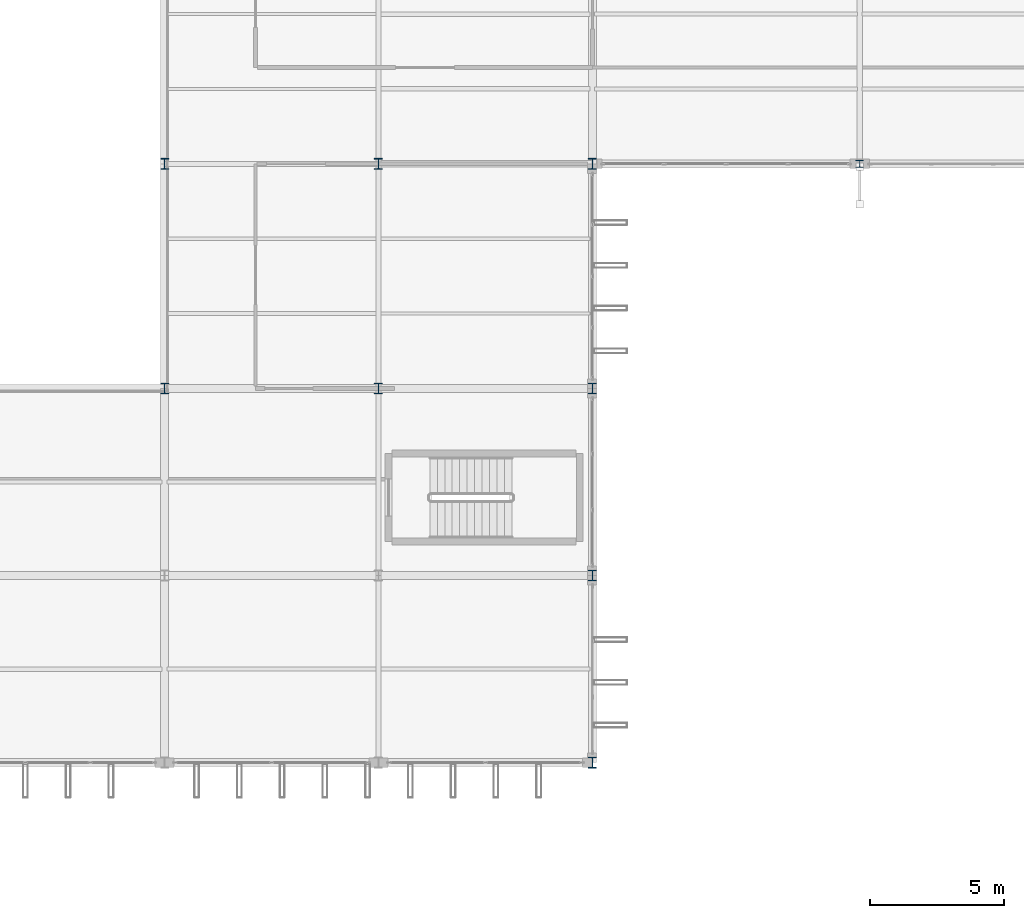
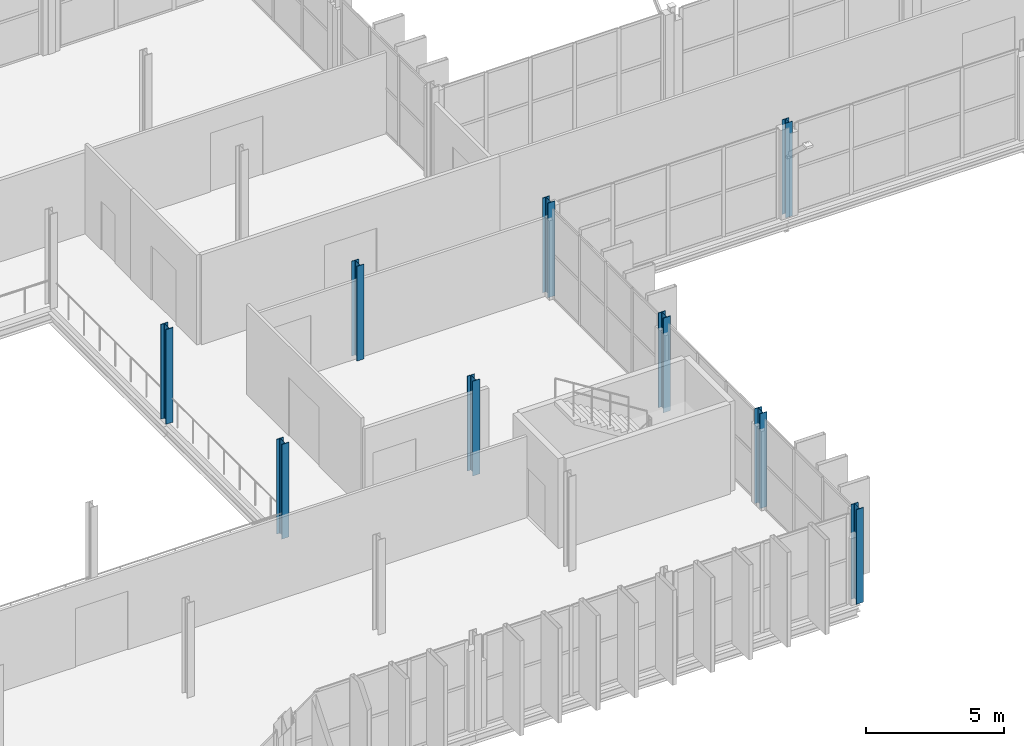
# One storey, part 6 of 101: 9 columns.
"""IFC4 building model written with IfcOpenShell, lengths in metres."""

from ifc_helpers import new_model, si_unit, direction, frame, origin, origin_2d, place, context, subcontext, project, spatial, i_section, extrude, material, material_profile, profile_set, type_object, element, save


model = new_model("IFC4")

# Units and contexts
model_context = context("Model", 3, precision=1e-05, world=origin(), true_north=direction((0.0, 1.0)))
body_context = subcontext(model_context, "Body", "Model", "MODEL_VIEW")
ifc_project = project(units=[si_unit("LENGTHUNIT", "METRE"), si_unit("AREAUNIT", "SQUARE_METRE"), si_unit("VOLUMEUNIT", "CUBIC_METRE"), si_unit("PLANEANGLEUNIT", "RADIAN"), si_unit("MASSUNIT", "GRAM", prefix="KILO")], contexts=[model_context])

# Site, building, storey
site_placement = place(None, origin())
site = spatial("IfcSite", under=ifc_project, at=site_placement, CompositionType="ELEMENT")
building_placement = place(site_placement, origin())
building = spatial("IfcBuilding", under=site, at=building_placement, Name="Vekula Escarpment Museum", CompositionType="ELEMENT")
storey_placement = place(building_placement, frame((0.0, 0.0, 18.0)))
storey = spatial("IfcBuildingStorey", under=building, at=storey_placement, Name="L04", CompositionType="ELEMENT", Elevation=18.0)

# Columns
ifc_material_1 = material(Name="Steel S355", Category="steel")
ifc_material_profile_1 = material_profile(ifc_material_1, i_section(OverallWidth=0.280029296875, OverallDepth=0.27001953125, WebThickness=0.008056640625, FlangeThickness=0.012939453125, FilletRadius=0.02392578125, at=origin_2d()), Name="HEA 280")
ifc_profile_set_1 = profile_set([ifc_material_profile_1], Name="Steel S355")
column_type_1 = type_object("IfcColumnType", Name="COL-S-HEA280", PredefinedType="COLUMN", material=ifc_profile_set_1)
column_placement = place(storey_placement, frame((136.0, 68.0, 0.0), z_axis=(0.0, 0.0, 1.0), x_axis=(1.0, 0.0, 0.0)))
element("IfcColumn", 1, at=column_placement, inside=storey, type_object=column_type_1, Name="Column L04 (136.0,68.0)", PredefinedType="COLUMN", context=body_context, shape_type="SweptSolid", body=[
    extrude(i_section(OverallWidth=0.280029296875, OverallDepth=0.27001953125, WebThickness=0.008056640625, FlangeThickness=0.012939453125, FilletRadius=0.02392578125, at=origin_2d()), origin(), (0.0, 0.0, 1.0), 4.199951171875),
])
ifc_material_2 = material(Name="Steel S355", Category="steel")
ifc_material_profile_2 = material_profile(ifc_material_2, i_section(OverallWidth=0.300048828125, OverallDepth=0.39990234375, WebThickness=0.013427734375, FlangeThickness=0.02392578125, FilletRadius=0.027099609375, at=origin_2d()), Name="HEB 400")
ifc_profile_set_2 = profile_set([ifc_material_profile_2], Name="Steel S355")
column_type_2 = type_object("IfcColumnType", Name="COL-S-HEB400", PredefinedType="COLUMN", material=ifc_profile_set_2)
for number, where, z_axis, x_axis, name in (
    (2, (110.0, 59.60009765625, 0.0), (0.0, 0.0, 1.0), (1.0, 0.0, 0.0), "Column L04 (110.0,59.6)"),
    (3, (110.0, 68.0, 0.0), (0.0, 0.0, 1.0), (1.0, 0.0, 0.0), "Column L04 (110.0,68.0)"),
    (4, (118.0, 59.60009765625, 0.0), (0.0, 0.0, 1.0), (1.0, 0.0, 0.0), "Column L04 (118.0,59.6)"),
    (5, (118.0, 68.0, 0.0), (0.0, 0.0, 1.0), (1.0, 0.0, 0.0), "Column L04 (118.0,68.0)"),
    (6, (126.0, 45.60009765625, 0.0), (0.0, 0.0, 1.0), (1.0, 0.0, 0.0), "Column L04 (126.0,45.6)"),
    (7, (126.0, 52.60009765625, 0.0), (0.0, 0.0, 1.0), (1.0, 0.0, 0.0), "Column L04 (126.0,52.6)"),
    (8, (126.0, 59.60009765625, 0.0), (0.0, 0.0, 1.0), (1.0, 0.0, 0.0), "Column L04 (126.0,59.6)"),
    (9, (126.0, 68.0, 0.0), (0.0, 0.0, 1.0), (1.0, 0.0, 0.0), "Column L04 (126.0,68.0)"),
):
    element("IfcColumn", number, at=place(storey_placement, frame(where, z_axis=z_axis, x_axis=x_axis)), inside=storey, type_object=column_type_2, Name=name, PredefinedType="COLUMN", context=body_context, shape_type="SweptSolid", body=[
        extrude(i_section(OverallWidth=0.300048828125, OverallDepth=0.39990234375, WebThickness=0.013427734375, FlangeThickness=0.02392578125, FilletRadius=0.027099609375, at=origin_2d()), origin(), (0.0, 0.0, 1.0), 4.199951171875),
    ])

save(model, "model.ifc")
